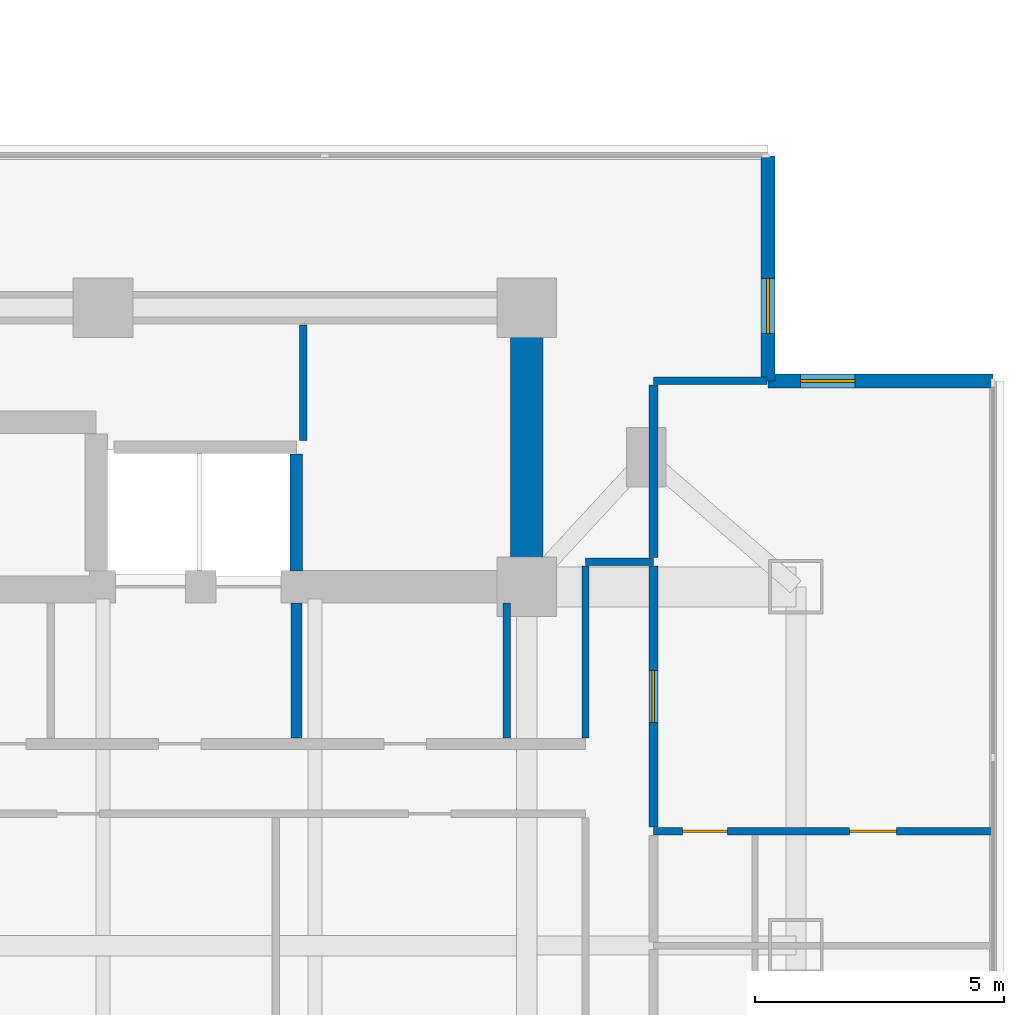
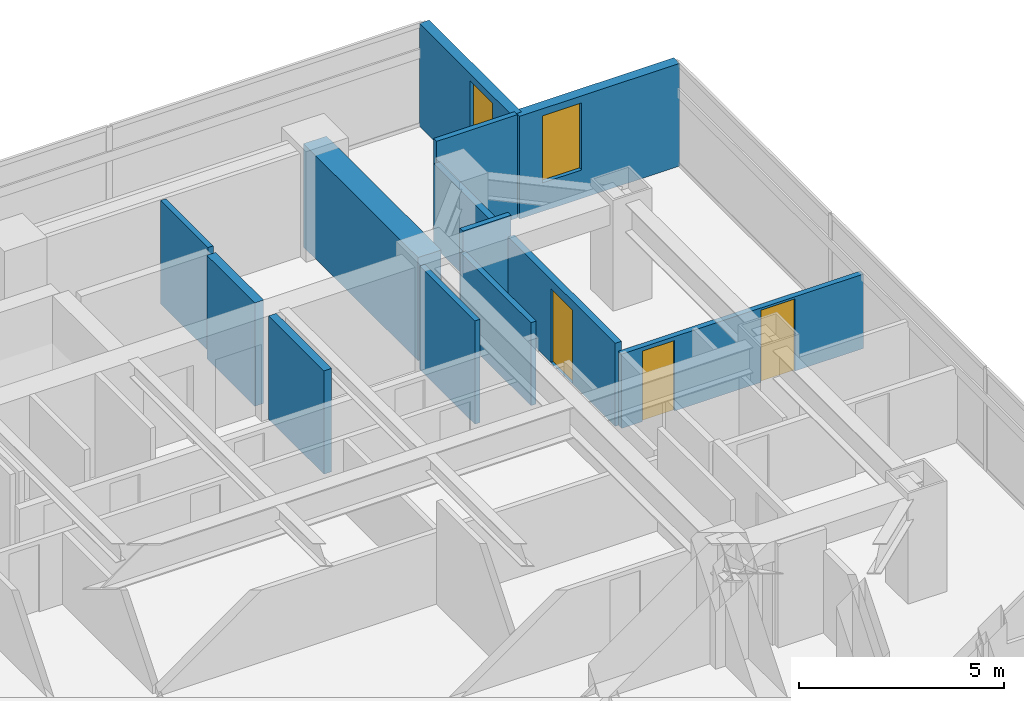
# One storey, part 19 of 26: 13 walls, 3 doors, 2 windows, 5 openings.
"""IFC4 building model written with IfcOpenShell, lengths in metres."""

from ifc_helpers import new_model, si_unit, direction, frame, frame_2d, origin, place, context, subcontext, project, spatial, rectangle, extrude, material, layer, layer_set, type_object, element, fill, save


model = new_model("IFC4")

# Units and contexts
model_context = context("Model", 3, precision=1e-05, world=origin(), true_north=direction((0.0, 1.0)))
body_context = subcontext(model_context, "Body", "Model", "MODEL_VIEW")
ifc_project = project(units=[si_unit("LENGTHUNIT", "METRE"), si_unit("AREAUNIT", "SQUARE_METRE"), si_unit("VOLUMEUNIT", "CUBIC_METRE"), si_unit("PLANEANGLEUNIT", "RADIAN"), si_unit("MASSUNIT", "GRAM", prefix="KILO")], contexts=[model_context])

# Site, building, storey
site_placement = place(None, origin())
site = spatial("IfcSite", under=ifc_project, at=site_placement, CompositionType="ELEMENT")
building_placement = place(site_placement, origin())
building = spatial("IfcBuilding", under=site, at=building_placement, Name="Mirazonda Arch Towers", CompositionType="ELEMENT")
storey_placement = place(building_placement, frame((0.0, 0.0, 98.300048828125)))
storey = spatial("IfcBuildingStorey", under=building, at=storey_placement, Name="L27", CompositionType="ELEMENT", Elevation=98.300048828125)

# Wall
ifc_material_1 = material(Name="Concrete C60/75", Category="concrete")
ifc_layer_1 = layer(ifc_material_1, 0.64990234375, Name="WALL-CORE-650")
ifc_layer_set_1 = layer_set([ifc_layer_1], Name="Concrete C60/75")
wall_type_1 = type_object("IfcWallType", Name="WALL-CORE-650", PredefinedType="SHEAR", material=ifc_layer_set_1)
wall_1_placement = place(storey_placement, frame((85.0, 35.199951171875, 0.0), z_axis=(0.0, 0.0, 1.0), x_axis=(0.0, 1.0, 0.0)))
element("IfcWall", 1, at=wall_1_placement, inside=storey, type_object=wall_type_1, Name="L27 T2N-E Core Shear Wall", PredefinedType="SHEAR", context=body_context, shape_type="SweptSolid", body=[
    extrude(rectangle(XDim=5.60009765625, YDim=0.64990234375, at=frame_2d((2.800048828125, 0.0))), origin(), (0.0, 0.0, 1.0), 3.079833984375),
])

# Wall, opening, window
ifc_material_2 = material(Name="Precast Concrete C40/50", Category="concrete")
ifc_layer_2 = layer(ifc_material_2, 0.280029296875, Name="WALL-EXT-WALL-280")
ifc_layer_set_2 = layer_set([ifc_layer_2], Name="Precast Concrete C40/50")
wall_type_2 = type_object("IfcWallType", Name="WALL-EXT-WALL-280", PredefinedType="SOLIDWALL", material=ifc_layer_set_2)
wall_2_placement = place(storey_placement, frame((89.840087890625, 39.3310546875, 0.0), z_axis=(0.0, 0.0, 1.0), x_axis=(0.0, 1.0, 0.0)))
wall_2 = element("IfcWall", 2, at=wall_2_placement, inside=storey, type_object=wall_type_2, Name="L27 T2 Notched NE Corner Wall WL-L27-T2-CNE", PredefinedType="SOLIDWALL", context=body_context, shape_type="SweptSolid", body=[
    extrude(rectangle(XDim=4.516357421875, YDim=0.280029296875, at=frame_2d((2.25830078125, 0.0))), origin(), (0.0, 0.0, 1.0), 3.06005859375),
])
opening_1_placement = place(wall_2_placement, frame((0.949951171875, 0.0, 0.85009765625)))
opening_1 = element("IfcOpeningElement", 3, at=opening_1_placement, cuts=wall_2, Name="Opening WN-108", PredefinedType="OPENING", context=body_context, shape_type="SweptSolid", body=[
    extrude(rectangle(XDim=1.10009765625, YDim=2.0, at=frame_2d((0.550048828125, 1.0))), frame((0.0, 0.14990234375, 0.0), z_axis=(0.0, -1.0, 0.0), x_axis=(1.0, 0.0, 0.0)), (0.0, 0.0, 1.0), 0.300048828125),
])
ifc_material_3 = material(Name="Insulated Low-E Solar Glass", Category="glass")
window_type = type_object("IfcWindowType", Name="WIN-NOTCH-1100x2000", PartitioningType="SINGLE_PANEL", PredefinedType="WINDOW", material=ifc_material_3)
window_1_placement = place(opening_1_placement, origin())
window_1 = element("IfcWindow", 4, at=window_1_placement, inside=storey, type_object=window_type, Name="L27 Punched Facade Window WN-L27-T2-CNE", OverallHeight=2.0, OverallWidth=1.10009765625, PartitioningType="SINGLE_PANEL", PredefinedType="WINDOW", context=body_context, shape_type="SweptSolid", body=[
    extrude(rectangle(XDim=1.10009765625, YDim=2.0, at=frame_2d((0.550048828125, 1.0))), frame((0.0, 0.030029296875, 0.0), z_axis=(0.0, -1.0, 0.0), x_axis=(1.0, 0.0, 0.0)), (0.0, 0.0, 1.0), 0.06005859375),
])
fill(opening_1, window_1)

wall_3_placement = place(storey_placement, frame((94.3564453125, 39.3310546875, 0.0), z_axis=(0.0, 0.0, 1.0), x_axis=(-1.0, 0.0, 0.0)))
wall_3 = element("IfcWall", 5, at=wall_3_placement, inside=storey, type_object=wall_type_2, Name="L27 T2 Corner Notch Return Wall WL-L27-T2-CNE2", PredefinedType="SOLIDWALL", context=body_context, shape_type="SweptSolid", body=[
    extrude(rectangle(XDim=4.516357421875, YDim=0.280029296875, at=frame_2d((2.25830078125, 0.0))), origin(), (0.0, 0.0, 1.0), 3.06005859375),
])
opening_2_placement = place(wall_3_placement, frame((2.76611328125, 0.0, 0.85009765625)))
opening_2 = element("IfcOpeningElement", 6, at=opening_2_placement, cuts=wall_3, Name="Opening WN-108", PredefinedType="OPENING", context=body_context, shape_type="SweptSolid", body=[
    extrude(rectangle(XDim=1.10009765625, YDim=2.0, at=frame_2d((0.550048828125, 1.0))), frame((0.0, 0.14990234375, 0.0), z_axis=(0.0, -1.0, 0.0), x_axis=(1.0, 0.0, 0.0)), (0.0, 0.0, 1.0), 0.300048828125),
])
window_2_placement = place(opening_2_placement, origin())
window_2 = element("IfcWindow", 7, at=window_2_placement, inside=storey, type_object=window_type, Name="L27 Punched Facade Window WN-L27-T2-CNE2", OverallHeight=2.0, OverallWidth=1.10009765625, PartitioningType="SINGLE_PANEL", PredefinedType="WINDOW", context=body_context, shape_type="SweptSolid", body=[
    extrude(rectangle(XDim=1.10009765625, YDim=2.0, at=frame_2d((0.550048828125, 1.0))), frame((0.0, 0.030029296875, 0.0), z_axis=(0.0, -1.0, 0.0), x_axis=(1.0, 0.0, 0.0)), (0.0, 0.0, 1.0), 0.06005859375),
])
fill(opening_2, window_2)

# Wall
ifc_material_4 = material(Name="Concrete C40/50", Category="concrete")
ifc_layer_3 = layer(ifc_material_4, 0.219970703125, Name="WALL-FFL-220")
ifc_layer_set_3 = layer_set([ifc_layer_3], Name="Concrete C40/50")
wall_type_3 = type_object("IfcWallType", Name="WALL-FFL-220", PredefinedType="SOLIDWALL", material=ifc_layer_set_3)
wall_4_placement = place(storey_placement, frame((80.3798828125, 32.169921875, 0.0), z_axis=(0.0, 0.0, 1.0), x_axis=(0.0, 1.0, 0.0)))
element("IfcWall", 8, at=wall_4_placement, inside=storey, type_object=wall_type_3, Name="L27 Interior Partition 160", PredefinedType="SOLIDWALL", context=body_context, shape_type="SweptSolid", body=[
    extrude(rectangle(XDim=2.7099609375, YDim=0.219970703125, at=frame_2d((1.35498046875, 0.0))), origin(), (0.0, 0.0, 1.0), 3.079833984375),
])

# Wall, openings, doors
ifc_material_5 = material(Name="Fire-Rated Gypsum Stud Partition")
ifc_layer_4 = layer(ifc_material_5, 0.14990234375, Name="WALL-PART-CORR-150")
ifc_layer_set_4 = layer_set([ifc_layer_4], Name="Fire-Rated Gypsum Stud Partition")
wall_type_4 = type_object("IfcWallType", Name="WALL-PART-CORR-150", PredefinedType="PARTITIONING", material=ifc_layer_set_4)
wall_5_placement = place(storey_placement, frame((87.5400390625, 30.300048828125, 0.0), z_axis=(0.0, 0.0, 1.0), x_axis=(1.0, 0.0, 0.0)))
wall_5 = element("IfcWall", 9, at=wall_5_placement, inside=storey, type_object=wall_type_4, Name="L27 Interior Partition 043", PredefinedType="PARTITIONING", context=body_context, shape_type="SweptSolid", body=[
    extrude(rectangle(XDim=6.81591796875, YDim=0.14990234375, at=frame_2d((3.407958984375, 0.0))), origin(), (0.0, 0.0, 1.0), 2.216064453125),
])
opening_3_placement = place(wall_5_placement, frame((3.93310546875, 0.0, 0.0)))
opening_3 = element("IfcOpeningElement", 10, at=opening_3_placement, cuts=wall_5, Name="Opening DR-104", PredefinedType="OPENING", context=body_context, shape_type="SweptSolid", body=[
    extrude(rectangle(XDim=0.949951171875, YDim=2.14990234375, at=frame_2d((0.47509765625, 1.074951171875))), frame((0.0, 0.0849609375, 0.0), z_axis=(0.0, -1.0, 0.0), x_axis=(1.0, 0.0, 0.0)), (0.0, 0.0, 1.0), 0.169921875),
])
opening_4_placement = place(wall_5_placement, frame((0.590087890625, 0.0, 0.0)))
opening_4 = element("IfcOpeningElement", 11, at=opening_4_placement, cuts=wall_5, Name="Opening DR-120", PredefinedType="OPENING", context=body_context, shape_type="SweptSolid", body=[
    extrude(rectangle(XDim=0.89990234375, YDim=2.10009765625, at=frame_2d((0.449951171875, 1.050048828125))), frame((0.0, 0.0849609375, 0.0), z_axis=(0.0, -1.0, 0.0), x_axis=(1.0, 0.0, 0.0)), (0.0, 0.0, 1.0), 0.169921875),
])
ifc_material_6 = material(Name="Architectural Brushed Steel S355", Category="steel")
door_type_1 = type_object("IfcDoorType", Name="DOOR-ROOM-950", OperationType="NOTDEFINED", PredefinedType="DOOR", material=ifc_material_6)
door_1_placement = place(opening_3_placement, origin())
door_1 = element("IfcDoor", 12, at=door_1_placement, inside=storey, type_object=door_type_1, Name="L27 Guestroom Study 2 Door", OperationType="SINGLE_SWING_LEFT", OverallHeight=2.14990234375, OverallWidth=0.949951171875, PredefinedType="DOOR", context=body_context, shape_type="SweptSolid", body=[
    extrude(rectangle(XDim=0.949951171875, YDim=2.14990234375, at=frame_2d((0.47509765625, 1.074951171875))), frame((0.0, 0.02490234375, 0.0), z_axis=(0.0, -1.0, 0.0), x_axis=(1.0, 0.0, 0.0)), (0.0, 0.0, 1.0), 0.050048828125),
])
fill(opening_3, door_1)
door_type_2 = type_object("IfcDoorType", Name="DOOR-WC-900", OperationType="NOTDEFINED", PredefinedType="DOOR", material=ifc_material_6)
door_2_placement = place(opening_4_placement, origin())
door_2 = element("IfcDoor", 13, at=door_2_placement, inside=storey, type_object=door_type_2, Name="L27 En-Suite Bathroom 2 Door", OperationType="SINGLE_SWING_RIGHT", OverallHeight=2.10009765625, OverallWidth=0.89990234375, PredefinedType="DOOR", context=body_context, shape_type="SweptSolid", body=[
    extrude(rectangle(XDim=0.89990234375, YDim=2.10009765625, at=frame_2d((0.449951171875, 1.050048828125))), frame((0.0, 0.02490234375, 0.0), z_axis=(0.0, -1.0, 0.0), x_axis=(1.0, 0.0, 0.0)), (0.0, 0.0, 1.0), 0.050048828125),
])
fill(opening_4, door_2)

# Walls
wall_6_placement = place(storey_placement, frame((86.179931640625, 35.699951171875, 0.0), z_axis=(0.0, 0.0, 1.0), x_axis=(1.0, 0.0, 0.0)))
element("IfcWall", 14, at=wall_6_placement, inside=storey, type_object=wall_type_4, Name="L27 Interior Partition 056", PredefinedType="PARTITIONING", context=body_context, shape_type="SweptSolid", body=[
    extrude(rectangle(XDim=1.360107421875, YDim=0.14990234375, at=frame_2d((0.68017578125, 0.0))), origin(), (0.0, 0.0, 1.0), 3.079833984375),
])
wall_7_placement = place(storey_placement, frame((87.5400390625, 39.3310546875, 0.0), z_axis=(0.0, 0.0, 1.0), x_axis=(1.0, 0.0, 0.0)))
element("IfcWall", 15, at=wall_7_placement, inside=storey, type_object=wall_type_4, Name="L27 Interior Partition 061", PredefinedType="PARTITIONING", context=body_context, shape_type="SweptSolid", body=[
    extrude(rectangle(XDim=2.2802734375, YDim=0.14990234375, at=frame_2d((1.14013671875, 0.0))), origin(), (0.0, 0.0, 1.0), 3.079833984375),
])
wall_8_placement = place(storey_placement, frame((80.52001953125, 38.135009765625, 0.0), z_axis=(0.0, 0.0, 1.0), x_axis=(0.0, 1.0, 0.0)))
element("IfcWall", 16, at=wall_8_placement, inside=storey, type_object=wall_type_4, Name="L27 Interior Partition 162", PredefinedType="PARTITIONING", context=body_context, shape_type="SweptSolid", body=[
    extrude(rectangle(XDim=2.31494140625, YDim=0.14990234375, at=frame_2d((1.157470703125, 0.0))), origin(), (0.0, 0.0, 1.0), 3.079833984375),
])
wall_9_placement = place(storey_placement, frame((84.60009765625, 32.169921875, 0.0), z_axis=(0.0, 0.0, 1.0), x_axis=(0.0, 1.0, 0.0)))
element("IfcWall", 17, at=wall_9_placement, inside=storey, type_object=wall_type_4, Name="L27 Interior Partition 164", PredefinedType="PARTITIONING", context=body_context, shape_type="SweptSolid", body=[
    extrude(rectangle(XDim=2.7099609375, YDim=0.14990234375, at=frame_2d((1.35498046875, 0.0))), origin(), (0.0, 0.0, 1.0), 3.079833984375),
])
wall_10_placement = place(storey_placement, frame((86.179931640625, 32.169921875, 0.0), z_axis=(0.0, 0.0, 1.0), x_axis=(0.0, 1.0, 0.0)))
element("IfcWall", 18, at=wall_10_placement, inside=storey, type_object=wall_type_4, Name="L27 Interior Partition 168", PredefinedType="PARTITIONING", context=body_context, shape_type="SweptSolid", body=[
    extrude(rectangle(XDim=3.445068359375, YDim=0.14990234375, at=frame_2d((1.72265625, 0.0))), origin(), (0.0, 0.0, 1.0), 2.471923828125),
])

# Wall, opening, door
ifc_material_7 = material(Name="Fire-Rated Gypsum Twin-Stud Assembly")
ifc_layer_5 = layer(ifc_material_7, 0.179931640625, Name="WALL-PART-DEMISE-180")
ifc_layer_set_5 = layer_set([ifc_layer_5], Name="Fire-Rated Gypsum Twin-Stud Assembly")
wall_type_5 = type_object("IfcWallType", Name="WALL-PART-DEMISE-180", PredefinedType="PARTITIONING", material=ifc_layer_set_5)
wall_11_placement = place(storey_placement, frame((87.5400390625, 30.385009765625, 0.0), z_axis=(0.0, 0.0, 1.0), x_axis=(0.0, 1.0, 0.0)))
wall_11 = element("IfcWall", 19, at=wall_11_placement, inside=storey, type_object=wall_type_5, Name="L27 Interior Partition 173", PredefinedType="PARTITIONING", context=body_context, shape_type="SweptSolid", body=[
    extrude(rectangle(XDim=5.22998046875, YDim=0.179931640625, at=frame_2d((2.614990234375, 0.0))), origin(), (0.0, 0.0, 1.0), 2.471923828125),
])
opening_5_placement = place(wall_11_placement, frame((2.090087890625, 0.0, 0.0)))
opening_5 = element("IfcOpeningElement", 20, at=opening_5_placement, cuts=wall_11, Name="Opening DR-121", PredefinedType="OPENING", context=body_context, shape_type="SweptSolid", body=[
    extrude(rectangle(XDim=1.050048828125, YDim=2.199951171875, at=frame_2d((0.52490234375, 1.10009765625))), frame((0.0, 0.099853515625, 0.0), z_axis=(0.0, -1.0, 0.0), x_axis=(1.0, 0.0, 0.0)), (0.0, 0.0, 1.0), 0.199951171875),
])
door_type_3 = type_object("IfcDoorType", Name="DOOR-SUITE-FD60-1050", OperationType="NOTDEFINED", PredefinedType="DOOR", material=ifc_material_6)
door_3_placement = place(opening_5_placement, origin())
door_3 = element("IfcDoor", 21, at=door_3_placement, inside=storey, type_object=door_type_3, Name="L27 Twin Hotel Guestroom 2 Door", OperationType="SINGLE_SWING_RIGHT", OverallHeight=2.199951171875, OverallWidth=1.050048828125, PredefinedType="DOOR", context=body_context, shape_type="SweptSolid", body=[
    extrude(rectangle(XDim=1.050048828125, YDim=2.199951171875, at=frame_2d((0.52490234375, 1.10009765625))), frame((0.0, 0.02490234375, 0.0), z_axis=(0.0, -1.0, 0.0), x_axis=(1.0, 0.0, 0.0)), (0.0, 0.0, 1.0), 0.050048828125),
])
fill(opening_5, door_3)

# Walls
wall_12_placement = place(storey_placement, frame((87.5400390625, 35.784912109375, 0.0), z_axis=(0.0, 0.0, 1.0), x_axis=(0.0, 1.0, 0.0)))
element("IfcWall", 22, at=wall_12_placement, inside=storey, type_object=wall_type_5, Name="L27 Interior Partition 174", PredefinedType="PARTITIONING", context=body_context, shape_type="SweptSolid", body=[
    extrude(rectangle(XDim=3.461181640625, YDim=0.179931640625, at=frame_2d((1.73046875, 0.0))), origin(), (0.0, 0.0, 1.0), 2.4560546875),
])
ifc_layer_6 = layer(ifc_material_4, 0.25, Name="WALL-SHAFT-250")
ifc_layer_set_6 = layer_set([ifc_layer_6], Name="Concrete C40/50")
wall_type_6 = type_object("IfcWallType", Name="WALL-SHAFT-250", PredefinedType="SOLIDWALL", material=ifc_layer_set_6)
wall_13_placement = place(storey_placement, frame((80.3798828125, 35.52001953125, 0.0), z_axis=(0.0, 0.0, 1.0), x_axis=(0.0, 1.0, 0.0)))
element("IfcWall", 23, at=wall_13_placement, inside=storey, type_object=wall_type_6, Name="L27 Interior Partition 161", PredefinedType="SOLIDWALL", context=body_context, shape_type="SweptSolid", body=[
    extrude(rectangle(XDim=2.344970703125, YDim=0.25, at=frame_2d((1.17236328125, 0.0))), origin(), (0.0, 0.0, 1.0), 3.079833984375),
])

save(model, "model.ifc")
